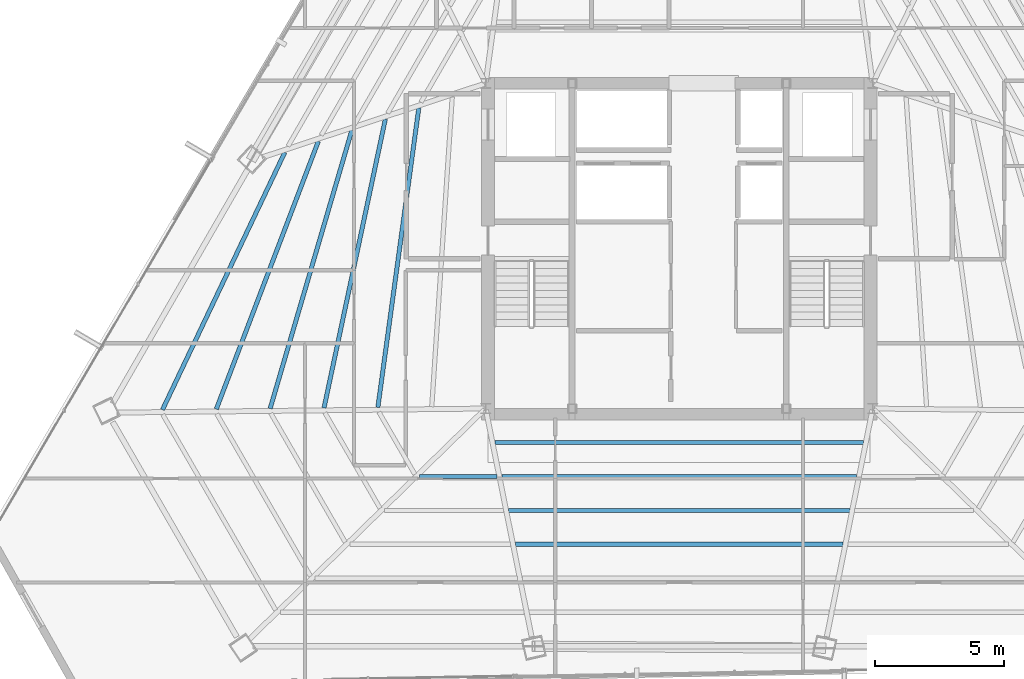
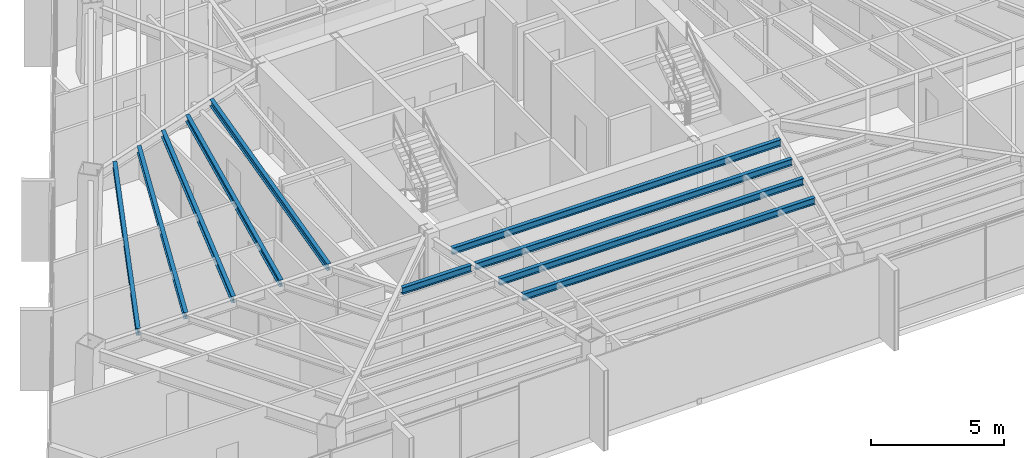
# One storey, part 14 of 42: 10 beams.
"""IFC4 building model written with IfcOpenShell, lengths in metres."""

from ifc_helpers import new_model, si_unit, direction, frame, origin, origin_2d, place, context, subcontext, project, spatial, i_section, extrude, source, transform, mapped, material, material_profile, profile_set, type_object, type_shapes, element, save


model = new_model("IFC4")

# Units and contexts
model_context = context("Model", 3, precision=1e-05, world=origin(), true_north=direction((0.0, 1.0)))
body_context = subcontext(model_context, "Body", "Model", "MODEL_VIEW")
ifc_project = project(units=[si_unit("LENGTHUNIT", "METRE"), si_unit("AREAUNIT", "SQUARE_METRE"), si_unit("VOLUMEUNIT", "CUBIC_METRE"), si_unit("PLANEANGLEUNIT", "RADIAN"), si_unit("MASSUNIT", "GRAM", prefix="KILO")], contexts=[model_context])

# Site, building, storey
site_placement = place(None, origin())
site = spatial("IfcSite", under=ifc_project, at=site_placement, CompositionType="ELEMENT")
building_placement = place(site_placement, origin())
building = spatial("IfcBuilding", under=site, at=building_placement, Name="Caelisora Broadcast Tower", CompositionType="ELEMENT")
storey_placement = place(building_placement, frame((0.0, 0.0, 195.0)))
storey = spatial("IfcBuildingStorey", under=building, at=storey_placement, Name="L51", CompositionType="ELEMENT", Elevation=195.0)

# Beams
ifc_material = material(Name="Steel Grade 350 (AS/NZS 3679.1)", Category="steel")
ifc_material_profile = material_profile(ifc_material, i_section(OverallWidth=0.166015625, OverallDepth=0.30712890625, WebThickness=0.006591796875, FlangeThickness=0.01171875, at=origin_2d()), Name="Steel Grade 350 (AS/NZS 3679.1)")
ifc_profile_set = profile_set([ifc_material_profile], Name="Steel Grade 350 (AS/NZS 3679.1)")
beam_type = type_object("IfcBeamType", Name="SB03", PredefinedType="JOIST", material=ifc_profile_set)
shared_shape_1 = source(origin(), body_context, "Body", "SweptSolid", [
    extrude(i_section(OverallWidth=0.166015625, OverallDepth=0.30712890625, WebThickness=0.006591796875, FlangeThickness=0.01171875, at=origin_2d()), origin(), (0.0, 0.0, 1.0), 11.706787109375),
])
beam_1_placement = place(storey_placement, frame((27.909912109375, 29.04541015625, 3.246337890625), z_axis=(-0.135512432331, -0.990775645988, 0.0), x_axis=(0.990775645988, -0.135512432331, 0.0)))
element("IfcBeam", 1, at=beam_1_placement, inside=storey, type_object=beam_type, Name="L51 beam SB03", PredefinedType="JOIST", context=body_context, shape_type="MappedRepresentation", body=[
    mapped(shared_shape_1, transform((0.0, 0.0, 0.0), scale=1.0)),
])
shared_shape_2 = source(origin(), body_context, "Body", "SweptSolid", [
    extrude(i_section(OverallWidth=0.166015625, OverallDepth=0.30712890625, WebThickness=0.006591796875, FlangeThickness=0.01171875, at=origin_2d()), origin(), (0.0, 0.0, 1.0), 11.442138671875),
])
beam_2_placement = place(storey_placement, frame((26.613525390625, 28.6162109375, 3.246337890625), z_axis=(-0.207780156731, -0.978175549924, 0.0), x_axis=(0.978175549924, -0.207780156731, 0.0)))
element("IfcBeam", 2, at=beam_2_placement, inside=storey, type_object=beam_type, Name="L51 beam SB03", PredefinedType="JOIST", context=body_context, shape_type="MappedRepresentation", body=[
    mapped(shared_shape_2, transform((0.0, 0.0, 0.0), scale=1.0)),
])
shared_shape_3 = source(origin(), body_context, "Body", "SweptSolid", [
    extrude(i_section(OverallWidth=0.166015625, OverallDepth=0.30712890625, WebThickness=0.006591796875, FlangeThickness=0.01171875, at=origin_2d()), origin(), (0.0, 0.0, 1.0), 11.241455078125),
])
beam_3_placement = place(storey_placement, frame((25.31591796875, 28.18701171875, 3.246337890625), z_axis=(-0.281704195823, -0.959501300706, 0.0), x_axis=(0.959501300706, -0.281704195823, 0.0)))
element("IfcBeam", 3, at=beam_3_placement, inside=storey, type_object=beam_type, Name="L51 beam SB03", PredefinedType="JOIST", context=body_context, shape_type="MappedRepresentation", body=[
    mapped(shared_shape_3, transform((0.0, 0.0, 0.0), scale=1.0)),
])
shared_shape_4 = source(origin(), body_context, "Body", "SweptSolid", [
    extrude(i_section(OverallWidth=0.166015625, OverallDepth=0.30712890625, WebThickness=0.006591796875, FlangeThickness=0.01171875, at=origin_2d()), origin(), (0.0, 0.0, 1.0), 11.10693359375),
])
beam_4_placement = place(storey_placement, frame((24.01708984375, 27.757080078125, 3.246337890625), z_axis=(-0.356006296366, -0.934483556275, 0.0), x_axis=(0.934483556275, -0.356006296366, 0.0)))
element("IfcBeam", 4, at=beam_4_placement, inside=storey, type_object=beam_type, Name="L51 beam SB03", PredefinedType="JOIST", context=body_context, shape_type="MappedRepresentation", body=[
    mapped(shared_shape_4, transform((0.0, 0.0, 0.0), scale=1.0)),
])
shared_shape_5 = source(origin(), body_context, "Body", "SweptSolid", [
    extrude(i_section(OverallWidth=0.166015625, OverallDepth=0.30712890625, WebThickness=0.006591796875, FlangeThickness=0.01171875, at=origin_2d()), origin(), (0.0, 0.0, 1.0), 11.0400390625),
])
beam_5_placement = place(storey_placement, frame((22.71630859375, 27.326416015625, 3.246337890625), z_axis=(-0.429256180316, -0.903182778656, 0.0), x_axis=(0.903182778656, -0.429256180316, 0.0)))
element("IfcBeam", 5, at=beam_5_placement, inside=storey, type_object=beam_type, Name="L51 beam SB03", PredefinedType="JOIST", context=body_context, shape_type="MappedRepresentation", body=[
    mapped(shared_shape_5, transform((0.0, 0.0, 0.0), scale=1.0)),
])
shared_shape_6 = source(origin(), body_context, "Body", "SweptSolid", [
    extrude(i_section(OverallWidth=0.166015625, OverallDepth=0.30712890625, WebThickness=0.006591796875, FlangeThickness=0.01171875, at=origin_2d()), origin(), (0.0, 0.0, 1.0), 2.997802734375),
])
beam_6_placement = place(storey_placement, frame((27.937744140625, 14.76806640625, 3.246337890625), z_axis=(1.0, 0.0, 0.0), x_axis=(0.0, 1.0, 0.0)))
element("IfcBeam", 6, at=beam_6_placement, inside=storey, type_object=beam_type, Name="L51 beam SB03", PredefinedType="JOIST", context=body_context, shape_type="MappedRepresentation", body=[
    mapped(shared_shape_6, transform((0.0, 0.0, 0.0), scale=1.0)),
])
shared_shape_7 = source(origin(), body_context, "Body", "SweptSolid", [
    extrude(i_section(OverallWidth=0.166015625, OverallDepth=0.30712890625, WebThickness=0.006591796875, FlangeThickness=0.01171875, at=origin_2d()), origin(), (0.0, 0.0, 1.0), 14.28125),
])
beam_7_placement = place(storey_placement, frame((30.859375, 16.083984375, 3.246337890625), z_axis=(1.0, 0.0, 0.0), x_axis=(0.0, 1.0, 0.0)))
element("IfcBeam", 7, at=beam_7_placement, inside=storey, type_object=beam_type, Name="L51 beam SB03", PredefinedType="JOIST", context=body_context, shape_type="MappedRepresentation", body=[
    mapped(shared_shape_7, transform((0.0, 0.0, 0.0), scale=1.0)),
])
shared_shape_8 = source(origin(), body_context, "Body", "SweptSolid", [
    extrude(i_section(OverallWidth=0.166015625, OverallDepth=0.30712890625, WebThickness=0.006591796875, FlangeThickness=0.01171875, at=origin_2d()), origin(), (0.0, 0.0, 1.0), 13.75146484375),
])
beam_8_placement = place(storey_placement, frame((31.124267578125, 14.76806640625, 3.246337890625), z_axis=(1.0, 0.0, 0.0), x_axis=(0.0, 1.0, 0.0)))
element("IfcBeam", 8, at=beam_8_placement, inside=storey, type_object=beam_type, Name="L51 beam SB03", PredefinedType="JOIST", context=body_context, shape_type="MappedRepresentation", body=[
    mapped(shared_shape_8, transform((0.0, 0.0, 0.0), scale=1.0)),
])
shared_shape_9 = source(origin(), body_context, "Body", "SweptSolid", [
    extrude(i_section(OverallWidth=0.166015625, OverallDepth=0.30712890625, WebThickness=0.006591796875, FlangeThickness=0.01171875, at=origin_2d()), origin(), (0.0, 0.0, 1.0), 13.2216796875),
])
beam_9_placement = place(storey_placement, frame((31.38916015625, 13.451904296875, 3.246337890625), z_axis=(1.0, 0.0, 0.0), x_axis=(0.0, 1.0, 0.0)))
element("IfcBeam", 9, at=beam_9_placement, inside=storey, type_object=beam_type, Name="L51 beam SB03", PredefinedType="JOIST", context=body_context, shape_type="MappedRepresentation", body=[
    mapped(shared_shape_9, transform((0.0, 0.0, 0.0), scale=1.0)),
])
shared_shape_10 = source(origin(), body_context, "Body", "SweptSolid", [
    extrude(i_section(OverallWidth=0.166015625, OverallDepth=0.30712890625, WebThickness=0.006591796875, FlangeThickness=0.01171875, at=origin_2d()), origin(), (0.0, 0.0, 1.0), 12.69140625),
])
type_shapes(beam_type, [shared_shape_1, shared_shape_2, shared_shape_3, shared_shape_4, shared_shape_5, shared_shape_6, shared_shape_7, shared_shape_8, shared_shape_9, shared_shape_10])
beam_10_placement = place(storey_placement, frame((31.654296875, 12.135986328125, 3.246337890625), z_axis=(1.0, 0.0, 0.0), x_axis=(0.0, 1.0, 0.0)))
element("IfcBeam", 10, at=beam_10_placement, inside=storey, type_object=beam_type, Name="L51 beam SB03", PredefinedType="JOIST", context=body_context, shape_type="MappedRepresentation", body=[
    mapped(shared_shape_10, transform((0.0, 0.0, 0.0), scale=1.0)),
])

save(model, "model.ifc")
